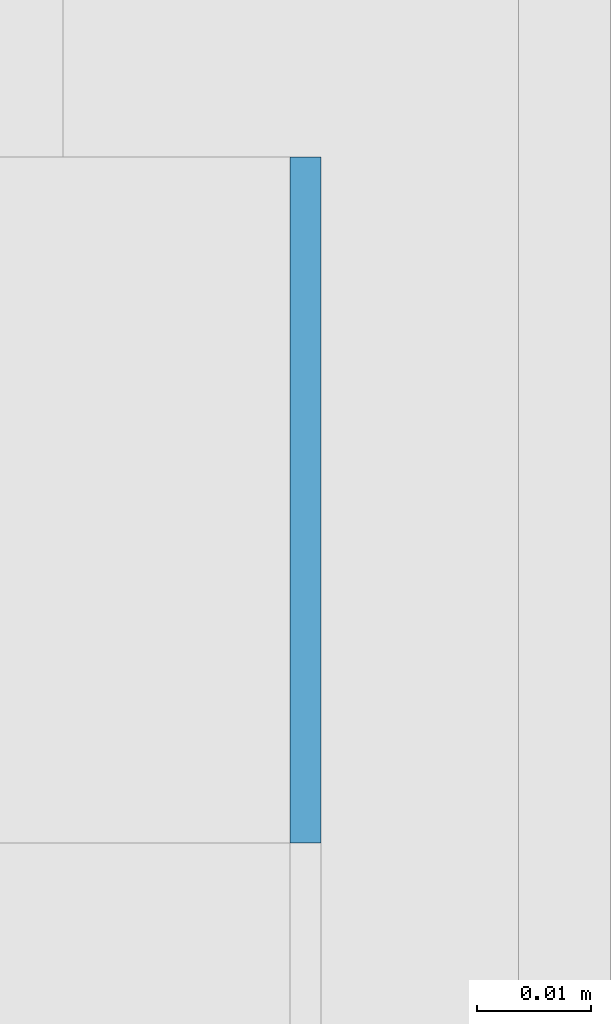
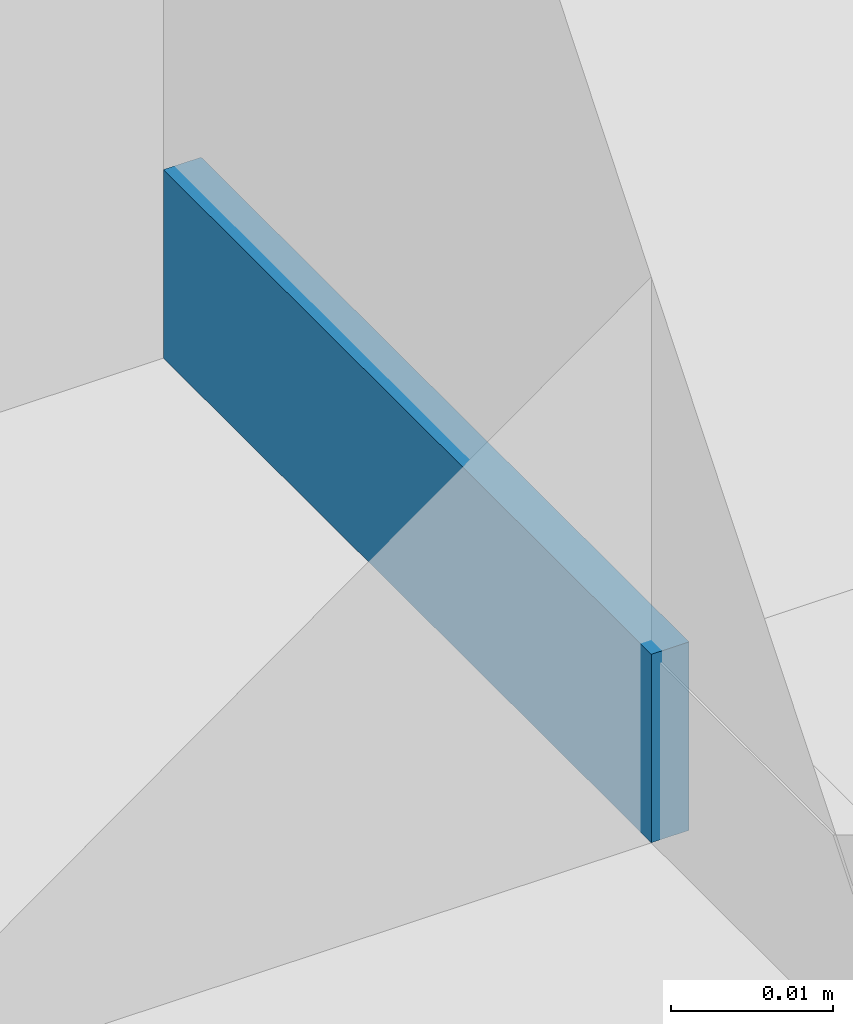
# One storey, part 366 of 646: 1 discrete accessory.
"""IFC4 building model written with IfcOpenShell, lengths in metres."""

from ifc_helpers import new_model, si_unit, direction, frame, origin, origin_2d, place, context, subcontext, project, spatial, rectangle, extrude, material, type_object, element, save


model = new_model("IFC4")

# Units and contexts
model_context = context("Model", 3, precision=1e-05, world=origin(), true_north=direction((0.0, 1.0)))
body_context = subcontext(model_context, "Body", "Model", "MODEL_VIEW")
ifc_project = project(units=[si_unit("LENGTHUNIT", "METRE"), si_unit("AREAUNIT", "SQUARE_METRE"), si_unit("VOLUMEUNIT", "CUBIC_METRE"), si_unit("PLANEANGLEUNIT", "RADIAN"), si_unit("MASSUNIT", "GRAM", prefix="KILO")], contexts=[model_context])

# Site, building, storey
site_placement = place(None, origin())
site = spatial("IfcSite", under=ifc_project, at=site_placement, CompositionType="ELEMENT")
building_placement = place(site_placement, origin())
building = spatial("IfcBuilding", under=site, at=building_placement, Name="Silverbay Arena", CompositionType="ELEMENT")
storey_placement = place(building_placement, frame((0.0, 0.0, 33.5)))
storey = spatial("IfcBuildingStorey", under=building, at=storey_placement, Name="L05", CompositionType="ELEMENT", Elevation=33.5)

# Discrete accessory
ifc_material = material(Name="Steel S355", Category="steel")
discrete_accessory_type = type_object("IfcDiscreteAccessoryType", Name="Steel bracket plate", PredefinedType="BRACKET", material=ifc_material)
discrete_accessory_placement = place(storey_placement, frame((53.871337890625, 99.030029296875, 4.0), z_axis=(0.0, 0.0, 1.0), x_axis=(1.0, 0.0, 0.0)))
element("IfcDiscreteAccessory", 1, at=discrete_accessory_placement, inside=storey, type_object=discrete_accessory_type, Name="Curtain wall packing plate", PredefinedType="BRACKET", context=body_context, shape_type="SweptSolid", body=[
    extrude(rectangle(XDim=0.002685546875, YDim=0.06005859375, at=origin_2d()), origin(), (0.0, 0.0, 1.0), 0.01416015625),
])

save(model, "model.ifc")
